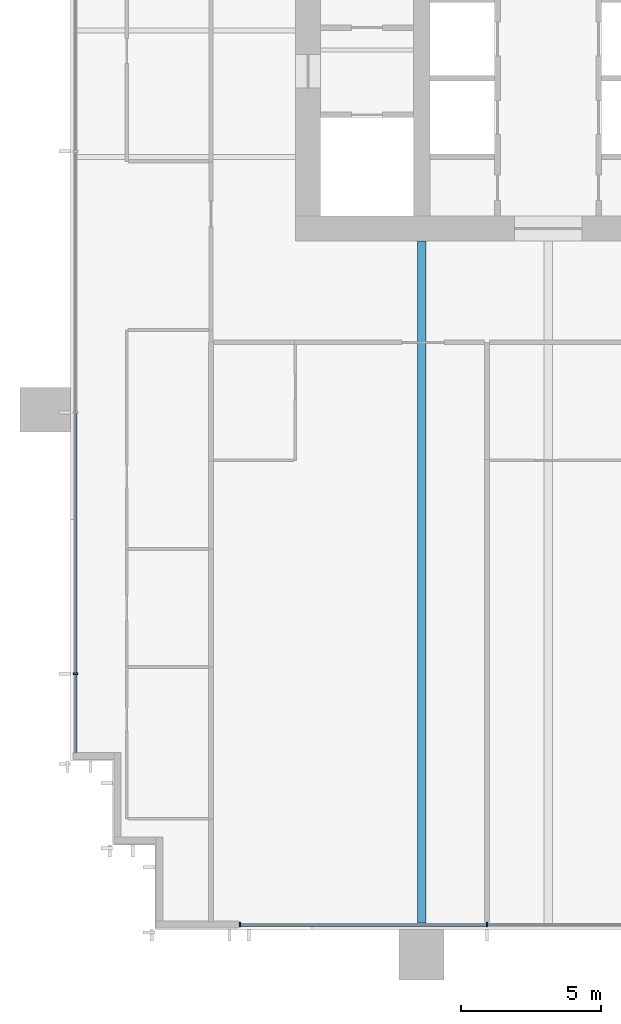
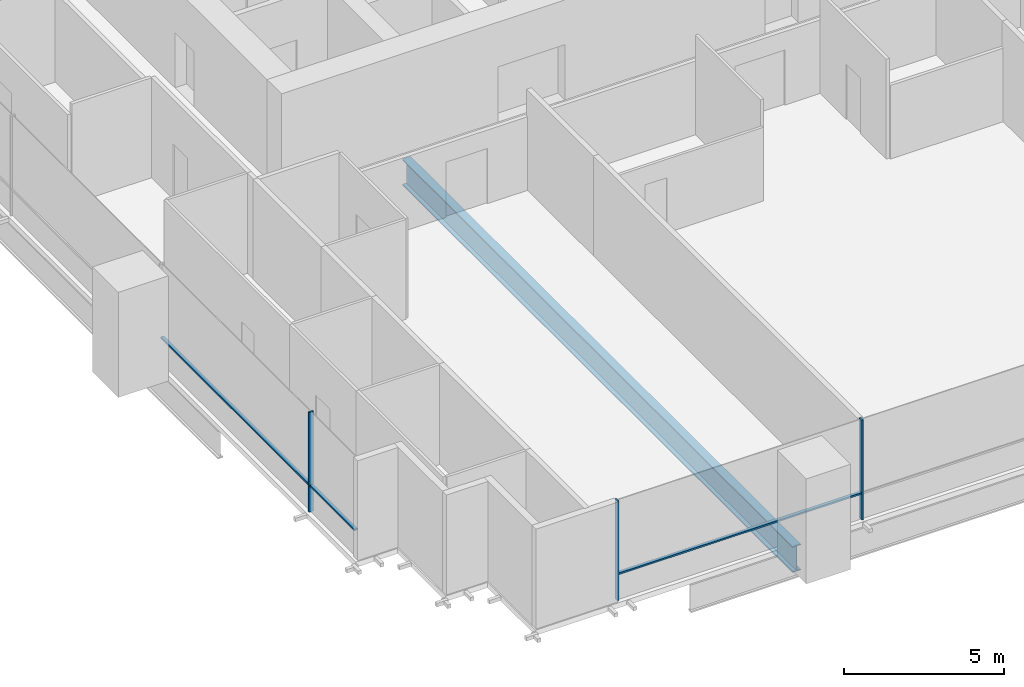
# One storey, part 2 of 17: 6 members, 1 beam, 2 elements without a shape of their own.
"""IFC4 building model written with IfcOpenShell, lengths in metres."""

from ifc_helpers import new_model, si_unit, direction, frame, origin, origin_2d, place, context, subcontext, project, spatial, rectangle, i_section, extrude, material, material_profile, profile_set, type_object, element, aggregate, save


model = new_model("IFC4")

# Units and contexts
model_context = context("Model", 3, precision=1e-05, world=origin(), true_north=direction((0.0, 1.0)))
body_context = subcontext(model_context, "Body", "Model", "MODEL_VIEW")
ifc_project = project(units=[si_unit("LENGTHUNIT", "METRE"), si_unit("AREAUNIT", "SQUARE_METRE"), si_unit("VOLUMEUNIT", "CUBIC_METRE"), si_unit("PLANEANGLEUNIT", "RADIAN"), si_unit("MASSUNIT", "GRAM", prefix="KILO")], contexts=[model_context])

# Site, building, storey
site_placement = place(None, origin())
site = spatial("IfcSite", under=ifc_project, at=site_placement, CompositionType="ELEMENT")
building_placement = place(site_placement, origin())
building = spatial("IfcBuilding", under=site, at=building_placement, Name="Rattan Terrace Tower", CompositionType="ELEMENT")
storey_placement = place(building_placement, frame((0.0, 0.0, 83.699951171875)))
storey = spatial("IfcBuildingStorey", under=building, at=storey_placement, Name="L18", CompositionType="ELEMENT", Elevation=83.699951171875)

# Curtain wall, member
ifc_material_1 = material(Name="Aluminium and glass", Category="aluminium")
curtain_wall_type = type_object("IfcCurtainWallType", Name="Facade Unitised Curtain Wall", PredefinedType="NOTDEFINED", material=ifc_material_1)
curtain_wall_1_placement = place(storey_placement, origin())
curtain_wall_1 = element("IfcCurtainWall", 1, at=curtain_wall_1_placement, inside=storey, type_object=curtain_wall_type, Name="Curtain wall L18-3", PredefinedType="NOTDEFINED")
ifc_material_2 = material(Name="Aluminium", Category="aluminium")
ifc_material_profile_1 = material_profile(ifc_material_2, rectangle(XDim=0.06005859375, YDim=0.159912109375, at=origin_2d()), Name="Aluminium 60x160")
ifc_profile_set_1 = profile_set([ifc_material_profile_1], Name="Aluminium")
member_type_1 = type_object("IfcMemberType", Name="Facade CW Mullion 60x160", PredefinedType="MULLION", material=ifc_profile_set_1)
member_1_placement = place(storey_placement, frame((-25.830078125, -22.89990234375, 0.0), z_axis=(0.0, 0.0, 1.0), x_axis=(0.0, -1.0, 0.0)))
member_1 = element("IfcMember", 2, at=member_1_placement, type_object=member_type_1, Name="Mullion cwl-L18-003.4", PredefinedType="MULLION", context=body_context, shape_type="SweptSolid", body=[
    extrude(rectangle(XDim=0.06005859375, YDim=0.159912109375, at=origin_2d()), origin(), (0.0, 0.0, 1.0), 3.800048828125),
])

# Curtain wall, members
curtain_wall_2_placement = place(storey_placement, origin())
curtain_wall_2 = element("IfcCurtainWall", 3, at=curtain_wall_2_placement, inside=storey, type_object=curtain_wall_type, Name="Curtain wall L18-4", PredefinedType="NOTDEFINED")
member_2_placement = place(storey_placement, frame((-19.969970703125, -31.830078125, 0.0), z_axis=(0.0, 0.0, 1.0), x_axis=(1.0, 0.0, 0.0)))
member_2 = element("IfcMember", 4, at=member_2_placement, type_object=member_type_1, Name="Mullion cwl-L18-004.1", PredefinedType="MULLION", context=body_context, shape_type="SweptSolid", body=[
    extrude(rectangle(XDim=0.06005859375, YDim=0.159912109375, at=origin_2d()), origin(), (0.0, 0.0, 1.0), 3.800048828125),
])
member_3_placement = place(storey_placement, frame((-11.177001953125, -31.830078125, 0.0), z_axis=(0.0, 0.0, 1.0), x_axis=(1.0, 0.0, 0.0)))
member_3 = element("IfcMember", 5, at=member_3_placement, type_object=member_type_1, Name="Mullion cwl-L18-004.2", PredefinedType="MULLION", context=body_context, shape_type="SweptSolid", body=[
    extrude(rectangle(XDim=0.06005859375, YDim=0.159912109375, at=origin_2d()), origin(), (0.0, 0.0, 1.0), 3.800048828125),
])

# Member
ifc_material_3 = material(Name="Aluminium", Category="aluminium")
ifc_material_profile_2 = material_profile(ifc_material_3, rectangle(XDim=0.1201171875, YDim=0.06005859375, at=origin_2d()), Name="Aluminium 120x60")
ifc_profile_set_2 = profile_set([ifc_material_profile_2], Name="Aluminium")
member_type_2 = type_object("IfcMemberType", Name="Facade CW Transom 120x60", PredefinedType="USERDEFINED", material=ifc_profile_set_2)
member_4_placement = place(storey_placement, frame((-25.830078125, -13.6298828125, 1.0), z_axis=(0.0, -1.0, 0.0), x_axis=(1.0, 0.0, 0.0)))
member_4 = element("IfcMember", 6, at=member_4_placement, type_object=member_type_2, Name="Transom cwl-L18-003.3", ObjectType="TRANSOM", PredefinedType="USERDEFINED", context=body_context, shape_type="SweptSolid", body=[
    extrude(rectangle(XDim=0.1201171875, YDim=0.06005859375, at=origin_2d()), origin(), (0.0, 0.0, 1.0), 9.240234375),
])

member_5_placement = place(storey_placement, frame((-25.830078125, -22.929931640625, 1.0), z_axis=(0.0, -1.0, 0.0), x_axis=(1.0, 0.0, 0.0)))
member_5 = element("IfcMember", 7, at=member_5_placement, type_object=member_type_2, Name="Transom cwl-L18-003.4", ObjectType="TRANSOM", PredefinedType="USERDEFINED", context=body_context, shape_type="SweptSolid", body=[
    extrude(rectangle(XDim=0.1201171875, YDim=0.06005859375, at=origin_2d()), origin(), (0.0, 0.0, 1.0), 2.775146484375),
])

aggregate(curtain_wall_1, [member_1, member_4, member_5])

member_6_placement = place(storey_placement, frame((-19.93994140625, -31.830078125, 1.0), z_axis=(1.0, 0.0, 0.0), x_axis=(0.0, 1.0, 0.0)))
member_6 = element("IfcMember", 8, at=member_6_placement, type_object=member_type_2, Name="Transom cwl-L18-004.1", ObjectType="TRANSOM", PredefinedType="USERDEFINED", context=body_context, shape_type="SweptSolid", body=[
    extrude(rectangle(XDim=0.1201171875, YDim=0.06005859375, at=origin_2d()), origin(), (0.0, 0.0, 1.0), 8.73291015625),
])

aggregate(curtain_wall_2, [member_2, member_3, member_6])

# Beam
ifc_material_4 = material(Name="Steel S460", Category="steel")
ifc_material_profile_3 = material_profile(ifc_material_4, i_section(OverallWidth=0.300048828125, OverallDepth=1.0, WebThickness=0.013916015625, FlangeThickness=0.0400390625, at=origin_2d()), Name="PG 1000x300-14-40")
ifc_profile_set_3 = profile_set([ifc_material_profile_3], Name="Steel S460")
beam_type = type_object("IfcBeamType", Name="Frame floor beam PG 1000x300-14-40", PredefinedType="JOIST", material=ifc_profile_set_3)
beam_placement = place(storey_placement, frame((-13.5, -31.820068359375, -0.699951171875), z_axis=(0.0, 1.0, 0.0), x_axis=(-1.0, 0.0, 0.0)))
element("IfcBeam", 9, at=beam_placement, inside=storey, type_object=beam_type, Name="bm-L18-003", PredefinedType="JOIST", context=body_context, shape_type="SweptSolid", body=[
    extrude(i_section(OverallWidth=0.300048828125, OverallDepth=1.0, WebThickness=0.013916015625, FlangeThickness=0.0400390625, at=origin_2d()), origin(), (0.0, 0.0, 1.0), 24.320068359375),
])

save(model, "model.ifc")
